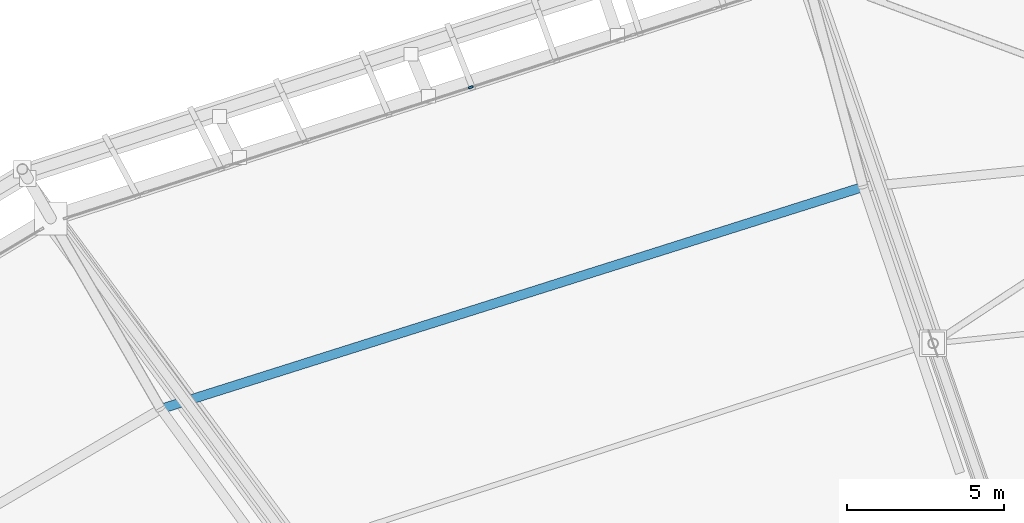
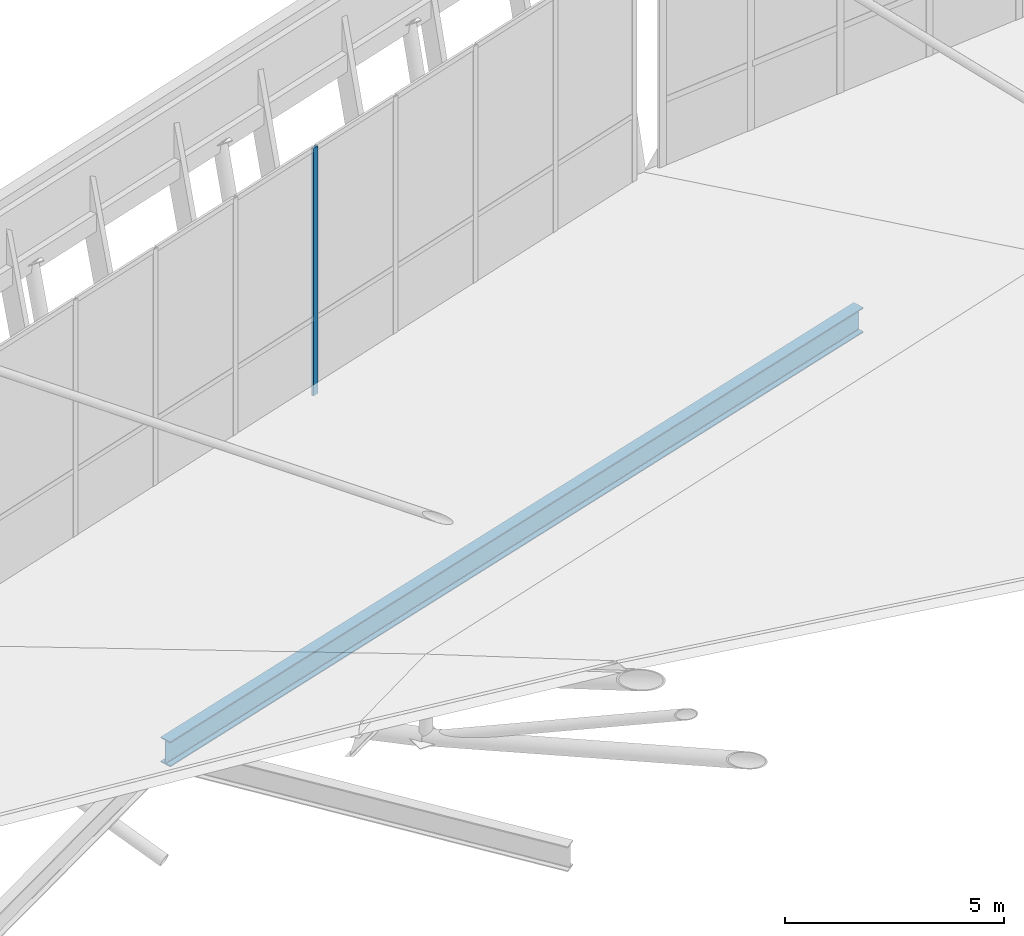
# One storey, part 67 of 115: 1 beam, 1 member, 1 element without a shape of its own.
"""IFC4 building model written with IfcOpenShell, lengths in metres."""

from ifc_helpers import new_model, si_unit, direction, frame, origin, origin_2d, place, context, subcontext, project, spatial, rectangle, i_section, extrude, material, material_profile, profile_set, type_object, element, aggregate, save


model = new_model("IFC4")

# Units and contexts
model_context = context("Model", 3, precision=1e-05, world=origin(), true_north=direction((0.0, 1.0)))
body_context = subcontext(model_context, "Body", "Model", "MODEL_VIEW")
ifc_project = project(units=[si_unit("LENGTHUNIT", "METRE"), si_unit("AREAUNIT", "SQUARE_METRE"), si_unit("VOLUMEUNIT", "CUBIC_METRE"), si_unit("PLANEANGLEUNIT", "RADIAN"), si_unit("MASSUNIT", "GRAM", prefix="KILO")], contexts=[model_context])

# Site, building, storey
site_placement = place(None, origin())
site = spatial("IfcSite", under=ifc_project, at=site_placement, CompositionType="ELEMENT")
building_placement = place(site_placement, origin())
building = spatial("IfcBuilding", under=site, at=building_placement, Name="Zlatoyarsky Gate Stadium", CompositionType="ELEMENT")
storey_placement = place(building_placement, frame((0.0, 0.0, 31.800048828125)))
storey = spatial("IfcBuildingStorey", under=building, at=storey_placement, Name="RF", CompositionType="ELEMENT", Elevation=31.800048828125)

# Curtain wall, member
ifc_material_1 = material(Name="Thermally broken anodised aluminium curtain wall", Category="aluminium")
curtain_wall_type = type_object("IfcCurtainWallType", Name="UNITISED SKYBOX RING GLAZING L05", PredefinedType="USERDEFINED", material=ifc_material_1)
curtain_wall_placement = place(storey_placement, origin())
curtain_wall = element("IfcCurtainWall", 1, at=curtain_wall_placement, inside=storey, type_object=curtain_wall_type, Name="Curtain wall CW-RF-07", ObjectType="UNITISED GLAZING", PredefinedType="USERDEFINED")
ifc_material_2 = material(Name="Anodised aluminium 6063-T6", Category="aluminium")
ifc_material_profile_1 = material_profile(ifc_material_2, rectangle(XDim=0.06494140625, YDim=0.159912109375, at=origin_2d()), Name="ALU 65X160")
ifc_profile_set_1 = profile_set([ifc_material_profile_1], Name="Anodised aluminium 6063-T6")
member_type = type_object("IfcMemberType", Name="ALUMINIUM MULLION 65X160", PredefinedType="MULLION", material=ifc_profile_set_1)
member_placement = place(storey_placement, frame((74.397705078125, 151.76171875, 0.0), z_axis=(0.0, 0.0, 1.0), x_axis=(0.307352182475, -0.951595836439, 0.0)))
member = element("IfcMember", 2, at=member_placement, type_object=member_type, Name="CW-UG5 mullion 5", PredefinedType="MULLION", context=body_context, shape_type="SweptSolid", body=[
    extrude(rectangle(XDim=0.06494140625, YDim=0.159912109375, at=origin_2d()), origin(), (0.0, 0.0, 1.0), 6.89990234375),
])
aggregate(curtain_wall, [member])

# Beam
ifc_material_3 = material(Name="Steel S355", Category="steel")
ifc_material_profile_2 = material_profile(ifc_material_3, i_section(OverallWidth=0.300048828125, OverallDepth=0.699951171875, WebThickness=0.01708984375, FlangeThickness=0.031982421875, FilletRadius=0.027099609375, at=origin_2d()), Name="HEB 700")
ifc_profile_set_2 = profile_set([ifc_material_profile_2], Name="Steel S355")
beam_type = type_object("IfcBeamType", Name="STEEL ROOF RING GIRDER HEB 700", PredefinedType="BEAM", material=ifc_profile_set_2)
beam_placement = place(storey_placement, frame((86.8916015625, 148.568603515625, -0.300048828125), z_axis=(-0.953465026843, -0.301503636109, 0.0), x_axis=(0.301503636109, -0.953465026843, 0.0)))
element("IfcBeam", 3, at=beam_placement, inside=storey, type_object=beam_type, Name="RF roof tie girder BM-RF-CRC-07", PredefinedType="BEAM", context=body_context, shape_type="SweptSolid", body=[
    extrude(i_section(OverallWidth=0.300048828125, OverallDepth=0.699951171875, WebThickness=0.01708984375, FlangeThickness=0.031982421875, FilletRadius=0.027099609375, at=origin_2d()), origin(), (0.0, 0.0, 1.0), 23.444580078125),
])

save(model, "model.ifc")
